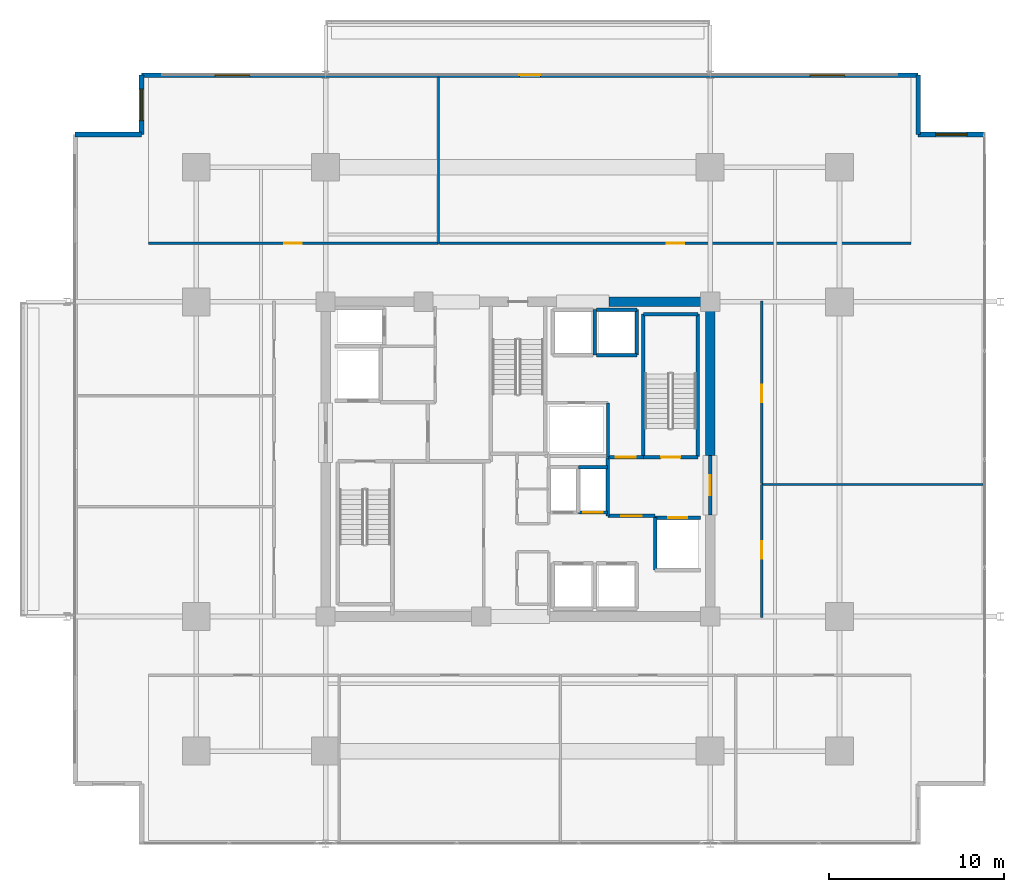
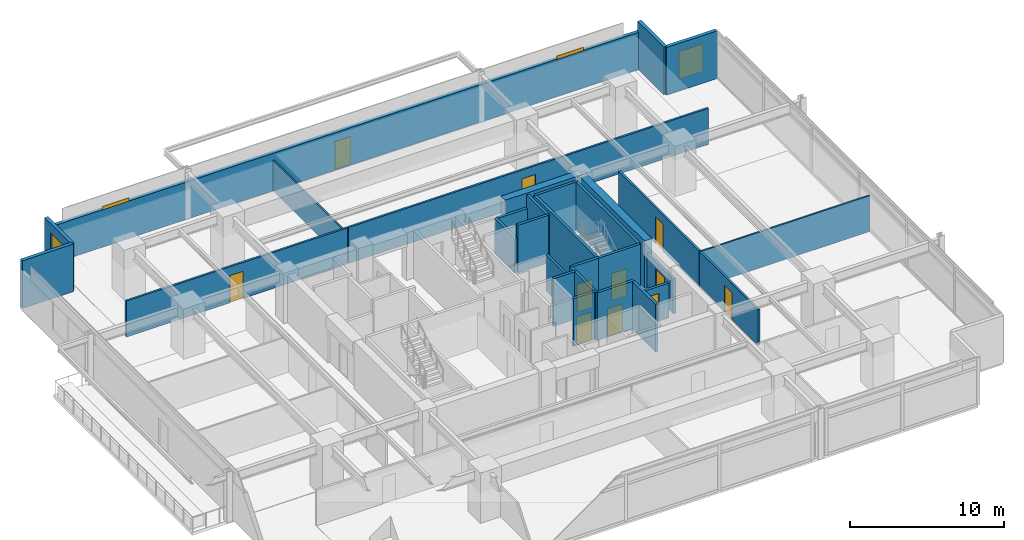
# One storey, part 15 of 20: 30 walls, 11 doors, 4 windows, 15 openings.
"""IFC4 building model written with IfcOpenShell, lengths in metres."""

from ifc_helpers import new_model, si_unit, direction, frame, frame_2d, origin, place, context, subcontext, project, spatial, rectangle, extrude, material, layer, layer_set, type_object, element, fill, save


model = new_model("IFC4")

# Units and contexts
model_context = context("Model", 3, precision=1e-05, world=origin(), true_north=direction((0.0, 1.0)))
body_context = subcontext(model_context, "Body", "Model", "MODEL_VIEW")
ifc_project = project(units=[si_unit("LENGTHUNIT", "METRE"), si_unit("AREAUNIT", "SQUARE_METRE"), si_unit("VOLUMEUNIT", "CUBIC_METRE"), si_unit("PLANEANGLEUNIT", "RADIAN"), si_unit("MASSUNIT", "GRAM", prefix="KILO")], contexts=[model_context])

# Site, building, storey
site_placement = place(None, origin())
site = spatial("IfcSite", under=ifc_project, at=site_placement, CompositionType="ELEMENT")
building_placement = place(site_placement, origin())
building = spatial("IfcBuilding", under=site, at=building_placement, Name="Kovane Verandah Tower", CompositionType="ELEMENT")
storey_placement = place(building_placement, frame((0.0, 0.0, 164.39990234375)))
storey = spatial("IfcBuildingStorey", under=building, at=storey_placement, Name="L38", CompositionType="ELEMENT", Elevation=164.39990234375)

# Wall
ifc_material_1 = material(Name="Fire-Rated Gypsum Stud Partition", Category="gypsum")
ifc_layer_1 = layer(ifc_material_1, 0.14990234375)
ifc_layer_set_1 = layer_set([ifc_layer_1], Name="Fire-Rated Gypsum Stud Partition")
wall_type_1 = type_object("IfcWallType", Name="WL-COR-150", PredefinedType="PARTITIONING", material=ifc_layer_set_1)
wall_1_placement = place(storey_placement, frame((45.14990234375, 27.6201171875, 0.0), z_axis=(0.0, 0.0, 1.0), x_axis=(0.0, 1.0, 0.0)))
element("IfcWall", 1, at=wall_1_placement, inside=storey, type_object=wall_type_1, Name="L38 East Core Service Riser East Wall", PredefinedType="PARTITIONING", context=body_context, shape_type="SweptSolid", body=[
    extrude(rectangle(XDim=3.099853515625, YDim=0.14990234375, at=frame_2d((1.5498046875, 0.0))), origin(), (0.0, 0.0, 1.0), 2.85009765625),
])

# Wall, opening, door
wall_2_placement = place(storey_placement, frame((18.866943359375, 39.85009765625, 0.0), z_axis=(0.0, 0.0, 1.0), x_axis=(1.0, 0.0, 0.0)))
wall_2 = element("IfcWall", 2, at=wall_2_placement, inside=storey, type_object=wall_type_1, Name="L38 Focus Studio N1 Corridor Partition", PredefinedType="PARTITIONING", context=body_context, shape_type="SweptSolid", body=[
    extrude(rectangle(XDim=16.579833984375, YDim=0.14990234375, at=frame_2d((8.2900390625, 0.0))), origin(), (0.0, 0.0, 1.0), 2.85009765625),
])
opening_1_placement = place(wall_2_placement, frame((7.7548828125, 0.0, 0.0)))
opening_1 = element("IfcOpeningElement", 3, at=opening_1_placement, cuts=wall_2, Name="Opening DR-L38-016", PredefinedType="OPENING", context=body_context, shape_type="SweptSolid", body=[
    extrude(rectangle(XDim=1.0, YDim=2.14990234375, at=frame_2d((0.5, 1.074951171875))), frame((0.0, 0.074951171875, 0.0), z_axis=(0.0, -1.0, 0.0), x_axis=(1.0, 0.0, 0.0)), (0.0, 0.0, 1.0), 0.14990234375),
])
ifc_material_2 = material(Name="FSC Spotted-Gum Timber Fire-Rated Office Door", Category="wood")
door_type_1 = type_object("IfcDoorType", Name="DR-OFF-1000", OperationType="SINGLE_SWING_LEFT", PredefinedType="DOOR", material=ifc_material_2)
door_1_placement = place(opening_1_placement, origin())
door_1 = element("IfcDoor", 4, at=door_1_placement, inside=storey, type_object=door_type_1, Name="L38 Focus Studio N1 Entrance Door", OperationType="SINGLE_SWING_LEFT", OverallHeight=2.14990234375, OverallWidth=1.0, PredefinedType="DOOR", context=body_context, shape_type="SweptSolid", body=[
    extrude(rectangle(XDim=1.0, YDim=2.14990234375, at=frame_2d((0.5, 1.074951171875))), frame((0.0, 0.02490234375, 0.0), z_axis=(0.0, -1.0, 0.0), x_axis=(1.0, 0.0, 0.0)), (0.0, 0.0, 1.0), 0.050048828125),
])
fill(opening_1, door_1)

wall_3_placement = place(storey_placement, frame((35.516845703125, 39.85009765625, 0.0), z_axis=(0.0, 0.0, 1.0), x_axis=(1.0, 0.0, 0.0)))
wall_3 = element("IfcWall", 5, at=wall_3_placement, inside=storey, type_object=wall_type_1, Name="L38 Breakout Pantry N2 Corridor Partition", PredefinedType="PARTITIONING", context=body_context, shape_type="SweptSolid", body=[
    extrude(rectangle(XDim=26.981201171875, YDim=0.14990234375, at=frame_2d((13.49072265625, 0.0))), origin(), (0.0, 0.0, 1.0), 2.85009765625),
])
opening_2_placement = place(wall_3_placement, frame((12.990478515625, 0.0, 0.0)))
opening_2 = element("IfcOpeningElement", 6, at=opening_2_placement, cuts=wall_3, Name="Opening DR-L38-017", PredefinedType="OPENING", context=body_context, shape_type="SweptSolid", body=[
    extrude(rectangle(XDim=1.0, YDim=2.14990234375, at=frame_2d((0.5, 1.074951171875))), frame((0.0, 0.074951171875, 0.0), z_axis=(0.0, -1.0, 0.0), x_axis=(1.0, 0.0, 0.0)), (0.0, 0.0, 1.0), 0.14990234375),
])
door_2_placement = place(opening_2_placement, origin())
door_2 = element("IfcDoor", 7, at=door_2_placement, inside=storey, type_object=door_type_1, Name="L38 Breakout Pantry N2 Entrance Door", OperationType="SINGLE_SWING_RIGHT", OverallHeight=2.14990234375, OverallWidth=1.0, PredefinedType="DOOR", context=body_context, shape_type="SweptSolid", body=[
    extrude(rectangle(XDim=1.0, YDim=2.14990234375, at=frame_2d((0.5, 1.074951171875))), frame((0.0, 0.02490234375, 0.0), z_axis=(0.0, -1.0, 0.0), x_axis=(1.0, 0.0, 0.0)), (0.0, 0.0, 1.0), 0.050048828125),
])
fill(opening_2, door_2)

wall_4_placement = place(storey_placement, frame((53.949951171875, 18.449951171875, 0.0), z_axis=(0.0, 0.0, 1.0), x_axis=(0.0, 1.0, 0.0)))
wall_4 = element("IfcWall", 8, at=wall_4_placement, inside=storey, type_object=wall_type_1, Name="L38 Breakout Pantry E1 Corridor Partition", PredefinedType="PARTITIONING", context=body_context, shape_type="SweptSolid", body=[
    extrude(rectangle(XDim=7.60205078125, YDim=0.14990234375, at=frame_2d((3.801025390625, 0.0))), origin(), (0.0, 0.0, 1.0), 2.85009765625),
])
opening_3_placement = place(wall_4_placement, frame((3.341064453125, 0.0, 0.0)))
opening_3 = element("IfcOpeningElement", 9, at=opening_3_placement, cuts=wall_4, Name="Opening DR-L38-012", PredefinedType="OPENING", context=body_context, shape_type="SweptSolid", body=[
    extrude(rectangle(XDim=1.0, YDim=2.14990234375, at=frame_2d((0.5, 1.074951171875))), frame((0.0, 0.074951171875, 0.0), z_axis=(0.0, -1.0, 0.0), x_axis=(1.0, 0.0, 0.0)), (0.0, 0.0, 1.0), 0.14990234375),
])
door_3_placement = place(opening_3_placement, origin())
door_3 = element("IfcDoor", 10, at=door_3_placement, inside=storey, type_object=door_type_1, Name="L38 Breakout Pantry E1 Entrance Door", OperationType="SINGLE_SWING_RIGHT", OverallHeight=2.14990234375, OverallWidth=1.0, PredefinedType="DOOR", context=body_context, shape_type="SweptSolid", body=[
    extrude(rectangle(XDim=1.0, YDim=2.14990234375, at=frame_2d((0.5, 1.074951171875))), frame((0.0, 0.02490234375, 0.0), z_axis=(0.0, -1.0, 0.0), x_axis=(1.0, 0.0, 0.0)), (0.0, 0.0, 1.0), 0.050048828125),
])
fill(opening_3, door_3)

wall_5_placement = place(storey_placement, frame((53.949951171875, 26.1220703125, 0.0), z_axis=(0.0, 0.0, 1.0), x_axis=(0.0, 1.0, 0.0)))
wall_5 = element("IfcWall", 11, at=wall_5_placement, inside=storey, type_object=wall_type_1, Name="L38 Collaboration Hub E2 Corridor Partition", PredefinedType="PARTITIONING", context=body_context, shape_type="SweptSolid", body=[
    extrude(rectangle(XDim=10.427978515625, YDim=0.14990234375, at=frame_2d((5.2138671875, 0.0))), origin(), (0.0, 0.0, 1.0), 2.85009765625),
])
opening_4_placement = place(wall_5_placement, frame((4.638916015625, 0.0, 0.0)))
opening_4 = element("IfcOpeningElement", 12, at=opening_4_placement, cuts=wall_5, Name="Opening DR-L38-013", PredefinedType="OPENING", context=body_context, shape_type="SweptSolid", body=[
    extrude(rectangle(XDim=1.0, YDim=2.14990234375, at=frame_2d((0.5, 1.074951171875))), frame((0.0, 0.074951171875, 0.0), z_axis=(0.0, -1.0, 0.0), x_axis=(1.0, 0.0, 0.0)), (0.0, 0.0, 1.0), 0.14990234375),
])
door_4_placement = place(opening_4_placement, origin())
door_4 = element("IfcDoor", 13, at=door_4_placement, inside=storey, type_object=door_type_1, Name="L38 Collaboration Hub E2 Entrance Door", OperationType="SINGLE_SWING_LEFT", OverallHeight=2.14990234375, OverallWidth=1.0, PredefinedType="DOOR", context=body_context, shape_type="SweptSolid", body=[
    extrude(rectangle(XDim=1.0, YDim=2.14990234375, at=frame_2d((0.5, 1.074951171875))), frame((0.0, 0.02490234375, 0.0), z_axis=(0.0, -1.0, 0.0), x_axis=(1.0, 0.0, 0.0)), (0.0, 0.0, 1.0), 0.050048828125),
])
fill(opening_4, door_4)

# Walls
ifc_material_3 = material(Name="Concrete C60/75", Category="concrete")
ifc_layer_2 = layer(ifc_material_3, 0.550048828125)
ifc_layer_set_2 = layer_set([ifc_layer_2], Name="Concrete C60/75")
wall_type_2 = type_object("IfcWallType", Name="WL-CORE-550", PredefinedType="SHEAR", material=ifc_layer_set_2)
wall_6_placement = place(storey_placement, frame((45.199951171875, 36.5, 0.0), z_axis=(0.0, 0.0, 1.0), x_axis=(1.0, 0.0, 0.0)))
element("IfcWall", 14, at=wall_6_placement, inside=storey, type_object=wall_type_2, Name="L38 Core Shear Wall CN-3", PredefinedType="SHEAR", context=body_context, shape_type="SweptSolid", body=[
    extrude(rectangle(XDim=5.800048828125, YDim=0.550048828125, at=frame_2d((2.89990234375, 0.0))), origin(), (0.0, 0.0, 1.0), 3.775146484375),
])
wall_7_placement = place(storey_placement, frame((51.0, 27.699951171875, 0.0), z_axis=(0.0, 0.0, 1.0), x_axis=(0.0, 1.0, 0.0)))
element("IfcWall", 15, at=wall_7_placement, inside=storey, type_object=wall_type_2, Name="L38 Core Shear Wall CE-2", PredefinedType="SHEAR", context=body_context, shape_type="SweptSolid", body=[
    extrude(rectangle(XDim=8.800048828125, YDim=0.550048828125, at=frame_2d((4.39990234375, 0.0))), origin(), (0.0, 0.0, 1.0), 3.775146484375),
])
ifc_material_4 = material(Name="Concrete C45/55 Fire Wall", Category="concrete")
ifc_layer_3 = layer(ifc_material_4, 0.199951171875)
ifc_layer_set_3 = layer_set([ifc_layer_3], Name="Concrete C45/55 Fire Wall")
wall_type_3 = type_object("IfcWallType", Name="WL-FFL-200", PredefinedType="PARTITIONING", material=ifc_layer_set_3)
wall_8_placement = place(storey_placement, frame((45.14990234375, 24.25, 0.0), z_axis=(0.0, 0.0, 1.0), x_axis=(0.0, 1.0, 0.0)))
element("IfcWall", 16, at=wall_8_placement, inside=storey, type_object=wall_type_3, Name="L38 East Firefighting Lobby West Fire Wall", PredefinedType="PARTITIONING", context=body_context, shape_type="SweptSolid", body=[
    extrude(rectangle(XDim=3.3701171875, YDim=0.199951171875, at=frame_2d((1.68505859375, 0.0))), origin(), (0.0, 0.0, 1.0), 3.775146484375),
])

# Wall, opening, door
wall_9_placement = place(storey_placement, frame((45.14990234375, 24.25, 0.0), z_axis=(0.0, 0.0, 1.0), x_axis=(1.0, 0.0, 0.0)))
wall_9 = element("IfcWall", 17, at=wall_9_placement, inside=storey, type_object=wall_type_3, Name="W-L38-FFLE-S", PredefinedType="PARTITIONING", context=body_context, shape_type="SweptSolid", body=[
    extrude(rectangle(XDim=2.7001953125, YDim=0.199951171875, at=frame_2d((1.35009765625, 0.0))), origin(), (0.0, 0.0, 1.0), 3.775146484375),
])
opening_5_placement = place(wall_9_placement, frame((0.77490234375, 0.0, 0.0)))
opening_5 = element("IfcOpeningElement", 18, at=opening_5_placement, cuts=wall_9, Name="Opening DR-L38-003", PredefinedType="OPENING", context=body_context, shape_type="SweptSolid", body=[
    extrude(rectangle(XDim=1.14990234375, YDim=2.199951171875, at=frame_2d((0.574951171875, 1.10009765625))), frame((0.0, 0.10009765625, 0.0), z_axis=(0.0, -1.0, 0.0), x_axis=(1.0, 0.0, 0.0)), (0.0, 0.0, 1.0), 0.199951171875),
])
ifc_material_5 = material(Name="Smoke-Sealed Firefighting Lobby Door", Category="steel")
door_type_2 = type_object("IfcDoorType", Name="DR-FFL-1150", OperationType="SINGLE_SWING_LEFT", PredefinedType="DOOR", material=ifc_material_5)
door_5_placement = place(opening_5_placement, origin())
door_5 = element("IfcDoor", 19, at=door_5_placement, inside=storey, type_object=door_type_2, Name="L38 East Firefighting Lobby Inner Door", OperationType="SINGLE_SWING_RIGHT", OverallHeight=2.199951171875, OverallWidth=1.14990234375, PredefinedType="DOOR", context=body_context, shape_type="SweptSolid", body=[
    extrude(rectangle(XDim=1.14990234375, YDim=2.199951171875, at=frame_2d((0.574951171875, 1.10009765625))), frame((0.0, 0.02490234375, 0.0), z_axis=(0.0, -1.0, 0.0), x_axis=(1.0, 0.0, 0.0)), (0.0, 0.0, 1.0), 0.050048828125),
])
fill(opening_5, door_5)

wall_10_placement = place(storey_placement, frame((45.14990234375, 27.6201171875, 0.0), z_axis=(0.0, 0.0, 1.0), x_axis=(1.0, 0.0, 0.0)))
wall_10 = element("IfcWall", 20, at=wall_10_placement, inside=storey, type_object=wall_type_3, Name="W-L38-FFLE-N", PredefinedType="PARTITIONING", context=body_context, shape_type="SweptSolid", body=[
    extrude(rectangle(XDim=2.030029296875, YDim=0.199951171875, at=frame_2d((1.01513671875, 0.0))), origin(), (0.0, 0.0, 1.0), 3.775146484375),
])
opening_6_placement = place(wall_10_placement, frame((0.43994140625, 0.0, 0.0)))
opening_6 = element("IfcOpeningElement", 21, at=opening_6_placement, cuts=wall_10, Name="Opening DR-L38-004", PredefinedType="OPENING", context=body_context, shape_type="SweptSolid", body=[
    extrude(rectangle(XDim=1.14990234375, YDim=2.199951171875, at=frame_2d((0.574951171875, 1.10009765625))), frame((0.0, 0.10009765625, 0.0), z_axis=(0.0, -1.0, 0.0), x_axis=(1.0, 0.0, 0.0)), (0.0, 0.0, 1.0), 0.199951171875),
])
door_6_placement = place(opening_6_placement, origin())
door_6 = element("IfcDoor", 22, at=door_6_placement, inside=storey, type_object=door_type_2, Name="L38 East Firefighting Lobby Shuttle Link Door", OperationType="SINGLE_SWING_LEFT", OverallHeight=2.199951171875, OverallWidth=1.14990234375, PredefinedType="DOOR", context=body_context, shape_type="SweptSolid", body=[
    extrude(rectangle(XDim=1.14990234375, YDim=2.199951171875, at=frame_2d((0.574951171875, 1.10009765625))), frame((0.0, 0.02490234375, 0.0), z_axis=(0.0, -1.0, 0.0), x_axis=(1.0, 0.0, 0.0)), (0.0, 0.0, 1.0), 0.050048828125),
])
fill(opening_6, door_6)

wall_11_placement = place(storey_placement, frame((51.0, 24.300048828125, 0.0), z_axis=(0.0, 0.0, 1.0), x_axis=(0.0, 1.0, 0.0)))
wall_11 = element("IfcWall", 23, at=wall_11_placement, inside=storey, type_object=wall_type_3, Name="W-L38-FFLE-OUT", PredefinedType="PARTITIONING", context=body_context, shape_type="SweptSolid", body=[
    extrude(rectangle(XDim=3.39990234375, YDim=0.199951171875, at=frame_2d((1.699951171875, 0.0))), origin(), (0.0, 0.0, 1.0), 2.755126953125),
])
opening_7_placement = place(wall_11_placement, frame((1.125, 0.0, 0.0)))
opening_7 = element("IfcOpeningElement", 24, at=opening_7_placement, cuts=wall_11, Name="Opening DR-L38-005", PredefinedType="OPENING", context=body_context, shape_type="SweptSolid", body=[
    extrude(rectangle(XDim=1.14990234375, YDim=2.199951171875, at=frame_2d((0.574951171875, 1.10009765625))), frame((0.0, 0.10009765625, 0.0), z_axis=(0.0, -1.0, 0.0), x_axis=(1.0, 0.0, 0.0)), (0.0, 0.0, 1.0), 0.199951171875),
])
door_7_placement = place(opening_7_placement, origin())
door_7 = element("IfcDoor", 25, at=door_7_placement, inside=storey, type_object=door_type_2, Name="L38 East Firefighting Lobby Corridor Door", OperationType="SINGLE_SWING_LEFT", OverallHeight=2.199951171875, OverallWidth=1.14990234375, PredefinedType="DOOR", context=body_context, shape_type="SweptSolid", body=[
    extrude(rectangle(XDim=1.14990234375, YDim=2.199951171875, at=frame_2d((0.574951171875, 1.10009765625))), frame((0.0, 0.02490234375, 0.0), z_axis=(0.0, -1.0, 0.0), x_axis=(1.0, 0.0, 0.0)), (0.0, 0.0, 1.0), 0.050048828125),
])
fill(opening_7, door_7)

ifc_material_6 = material(Name="Concrete C45/55 Lift Shaft Wall", Category="concrete")
ifc_layer_4 = layer(ifc_material_6, 0.199951171875)
ifc_layer_set_4 = layer_set([ifc_layer_4], Name="Concrete C45/55 Lift Shaft Wall")
wall_type_4 = type_object("IfcWallType", Name="WL-LIFT-200", PredefinedType="SOLIDWALL", material=ifc_layer_set_4)
wall_12_placement = place(storey_placement, frame((50.449951171875, 24.14990234375, 0.0), z_axis=(0.0, 0.0, 1.0), x_axis=(-1.0, 0.0, 0.0)))
wall_12 = element("IfcWall", 26, at=wall_12_placement, inside=storey, type_object=wall_type_4, Name="L38 Lift FL-02 N Shaft Wall", PredefinedType="SOLIDWALL", context=body_context, shape_type="SweptSolid", body=[
    extrude(rectangle(XDim=2.599853515625, YDim=0.199951171875, at=frame_2d((1.2998046875, 0.0))), origin(), (0.0, 0.0, 1.0), 2.755126953125),
])
opening_8_placement = place(wall_12_placement, frame((0.75, 0.0, 0.0)))
opening_8 = element("IfcOpeningElement", 27, at=opening_8_placement, cuts=wall_12, Name="Opening LD-L38-002", PredefinedType="OPENING", context=body_context, shape_type="SweptSolid", body=[
    extrude(rectangle(XDim=1.10009765625, YDim=2.199951171875, at=frame_2d((0.550048828125, 1.10009765625))), frame((0.0, 0.10009765625, 0.0), z_axis=(0.0, -1.0, 0.0), x_axis=(1.0, 0.0, 0.0)), (0.0, 0.0, 1.0), 0.199951171875),
])
ifc_material_7 = material(Name="Brushed Stainless Steel Sliding Lift Landing Door", Category="steel")
door_type_3 = type_object("IfcDoorType", Name="DR-LIFT-1100", OperationType="SLIDING_TO_RIGHT", PredefinedType="DOOR", material=ifc_material_7)
door_8_placement = place(opening_8_placement, origin())
door_8 = element("IfcDoor", 28, at=door_8_placement, inside=storey, type_object=door_type_3, Name="L38 Lift FL-02 Sliding Landing Door", OperationType="SLIDING_TO_RIGHT", OverallHeight=2.199951171875, OverallWidth=1.10009765625, PredefinedType="DOOR", context=body_context, shape_type="SweptSolid", body=[
    extrude(rectangle(XDim=1.10009765625, YDim=2.199951171875, at=frame_2d((0.550048828125, 1.10009765625))), frame((0.0, 0.02490234375, 0.0), z_axis=(0.0, -1.0, 0.0), x_axis=(1.0, 0.0, 0.0)), (0.0, 0.0, 1.0), 0.050048828125),
])
fill(opening_8, door_8)

# Wall
wall_13_placement = place(storey_placement, frame((47.85009765625, 24.14990234375, 0.0), z_axis=(0.0, 0.0, 1.0), x_axis=(0.0, -1.0, 0.0)))
element("IfcWall", 29, at=wall_13_placement, inside=storey, type_object=wall_type_4, Name="L38 Lift FL-02 W Shaft Wall", PredefinedType="SOLIDWALL", context=body_context, shape_type="SweptSolid", body=[
    extrude(rectangle(XDim=3.0, YDim=0.199951171875, at=frame_2d((1.5, 0.0))), origin(), (0.0, 0.0, 1.0), 3.775146484375),
])

# Wall, opening, door
wall_14_placement = place(storey_placement, frame((43.4599609375, 24.449951171875, 0.0), z_axis=(0.0, 0.0, 1.0), x_axis=(1.0, 0.0, 0.0)))
wall_14 = element("IfcWall", 30, at=wall_14_placement, inside=storey, type_object=wall_type_4, Name="L38 Lift PL-M4 S Shaft Wall", PredefinedType="SOLIDWALL", context=body_context, shape_type="SweptSolid", body=[
    extrude(rectangle(XDim=1.66015625, YDim=0.199951171875, at=frame_2d((0.830078125, 0.0))), origin(), (0.0, 0.0, 1.0), 3.775146484375),
])
opening_9_placement = place(wall_14_placement, frame((0.280029296875, 0.0, 0.0)))
opening_9 = element("IfcOpeningElement", 31, at=opening_9_placement, cuts=wall_14, Name="Opening LD-L38-007", PredefinedType="OPENING", context=body_context, shape_type="SweptSolid", body=[
    extrude(rectangle(XDim=1.10009765625, YDim=2.199951171875, at=frame_2d((0.550048828125, 1.10009765625))), frame((0.0, 0.10009765625, 0.0), z_axis=(0.0, -1.0, 0.0), x_axis=(1.0, 0.0, 0.0)), (0.0, 0.0, 1.0), 0.199951171875),
])
door_9_placement = place(opening_9_placement, origin())
door_9 = element("IfcDoor", 32, at=door_9_placement, inside=storey, type_object=door_type_3, Name="L38 Lift PL-M4 Sliding Landing Door", OperationType="SLIDING_TO_RIGHT", OverallHeight=2.199951171875, OverallWidth=1.10009765625, PredefinedType="DOOR", context=body_context, shape_type="SweptSolid", body=[
    extrude(rectangle(XDim=1.10009765625, YDim=2.199951171875, at=frame_2d((0.550048828125, 1.10009765625))), frame((0.0, 0.02490234375, 0.0), z_axis=(0.0, -1.0, 0.0), x_axis=(1.0, 0.0, 0.0)), (0.0, 0.0, 1.0), 0.050048828125),
])
fill(opening_9, door_9)

# Walls
wall_15_placement = place(storey_placement, frame((45.1201171875, 27.050048828125, 0.0), z_axis=(0.0, 0.0, 1.0), x_axis=(-1.0, 0.0, 0.0)))
element("IfcWall", 33, at=wall_15_placement, inside=storey, type_object=wall_type_4, Name="L38 Lift PL-M4 N Shaft Wall", PredefinedType="SOLIDWALL", context=body_context, shape_type="SweptSolid", body=[
    extrude(rectangle(XDim=1.66015625, YDim=0.199951171875, at=frame_2d((0.830078125, 0.0))), origin(), (0.0, 0.0, 1.0), 3.775146484375),
])
wall_16_placement = place(storey_placement, frame((44.39990234375, 33.449951171875, 0.0), z_axis=(0.0, 0.0, 1.0), x_axis=(0.0, 1.0, 0.0)))
element("IfcWall", 34, at=wall_16_placement, inside=storey, type_object=wall_type_4, Name="L38 Lift OL-01 and SL-01 Shared Shaft Wall", PredefinedType="SOLIDWALL", context=body_context, shape_type="SweptSolid", body=[
    extrude(rectangle(XDim=2.60009765625, YDim=0.199951171875, at=frame_2d((1.300048828125, 0.0))), origin(), (0.0, 0.0, 1.0), 2.755126953125),
])
wall_17_placement = place(storey_placement, frame((44.5, 33.449951171875, 0.0), z_axis=(0.0, 0.0, 1.0), x_axis=(1.0, 0.0, 0.0)))
element("IfcWall", 35, at=wall_17_placement, inside=storey, type_object=wall_type_4, Name="L38 Lift OL-01 S Shaft Wall", PredefinedType="SOLIDWALL", context=body_context, shape_type="SweptSolid", body=[
    extrude(rectangle(XDim=2.300048828125, YDim=0.199951171875, at=frame_2d((1.14990234375, 0.0))), origin(), (0.0, 0.0, 1.0), 3.775146484375),
])
wall_18_placement = place(storey_placement, frame((46.800048828125, 36.050048828125, 0.0), z_axis=(0.0, 0.0, 1.0), x_axis=(-1.0, 0.0, 0.0)))
element("IfcWall", 36, at=wall_18_placement, inside=storey, type_object=wall_type_4, Name="L38 Lift OL-01 N Shaft Wall", PredefinedType="SOLIDWALL", context=body_context, shape_type="SweptSolid", body=[
    extrude(rectangle(XDim=2.300048828125, YDim=0.199951171875, at=frame_2d((1.14990234375, 0.0))), origin(), (0.0, 0.0, 1.0), 2.755126953125),
])
wall_19_placement = place(storey_placement, frame((46.800048828125, 33.449951171875, 0.0), z_axis=(0.0, 0.0, 1.0), x_axis=(0.0, 1.0, 0.0)))
element("IfcWall", 37, at=wall_19_placement, inside=storey, type_object=wall_type_4, Name="L38 Lift OL-01 E Shaft Wall", PredefinedType="SOLIDWALL", context=body_context, shape_type="SweptSolid", body=[
    extrude(rectangle(XDim=2.60009765625, YDim=0.199951171875, at=frame_2d((1.300048828125, 0.0))), origin(), (0.0, 0.0, 1.0), 3.775146484375),
])
ifc_material_8 = material(Name="Acoustic Fire-Rated Gypsum Partition", Category="gypsum")
ifc_layer_5 = layer(ifc_material_8, 0.1201171875)
ifc_layer_set_5 = layer_set([ifc_layer_5], Name="Acoustic Fire-Rated Gypsum Partition")
wall_type_5 = type_object("IfcWallType", Name="WL-PART-120", PredefinedType="PARTITIONING", material=ifc_layer_set_5)
wall_20_placement = place(storey_placement, frame((35.44677734375, 39.85009765625, 0.0), z_axis=(0.0, 0.0, 1.0), x_axis=(0.0, 1.0, 0.0)))
element("IfcWall", 38, at=wall_20_placement, inside=storey, type_object=wall_type_5, Name="L38 Focus Studio N1 Dividing Partition", PredefinedType="PARTITIONING", context=body_context, shape_type="SweptSolid", body=[
    extrude(rectangle(XDim=9.52294921875, YDim=0.1201171875, at=frame_2d((4.761474609375, 0.0))), origin(), (0.0, 0.0, 1.0), 2.405029296875),
])
wall_21_placement = place(storey_placement, frame((53.949951171875, 26.052001953125, 0.0), z_axis=(0.0, 0.0, 1.0), x_axis=(1.0, 0.0, 0.0)))
element("IfcWall", 39, at=wall_21_placement, inside=storey, type_object=wall_type_5, Name="L38 Breakout Pantry E1 Dividing Partition", PredefinedType="PARTITIONING", context=body_context, shape_type="SweptSolid", body=[
    extrude(rectangle(XDim=12.64794921875, YDim=0.1201171875, at=frame_2d((6.323974609375, 0.0))), origin(), (0.0, 0.0, 1.0), 2.85009765625),
])
ifc_material_9 = material(Name="Concrete C45/55", Category="concrete")
ifc_layer_6 = layer(ifc_material_9, 0.199951171875)
ifc_layer_set_6 = layer_set([ifc_layer_6], Name="Concrete C45/55")
wall_type_6 = type_object("IfcWallType", Name="WL-SHAFT-200", PredefinedType="SOLIDWALL", material=ifc_layer_set_6)
wall_22_placement = place(storey_placement, frame((50.300048828125, 27.64990234375, 0.0), z_axis=(0.0, 0.0, 1.0), x_axis=(0.0, 1.0, 0.0)))
element("IfcWall", 40, at=wall_22_placement, inside=storey, type_object=wall_type_6, Name="W-L38-ST02-E", PredefinedType="SOLIDWALL", context=body_context, shape_type="SweptSolid", body=[
    extrude(rectangle(XDim=8.150146484375, YDim=0.199951171875, at=frame_2d((4.0751953125, 0.0))), origin(), (0.0, 0.0, 1.0), 3.775146484375),
])
wall_23_placement = place(storey_placement, frame((47.179931640625, 35.800048828125, 0.0), z_axis=(0.0, 0.0, 1.0), x_axis=(1.0, 0.0, 0.0)))
element("IfcWall", 41, at=wall_23_placement, inside=storey, type_object=wall_type_6, Name="W-L38-ST02-N", PredefinedType="SOLIDWALL", context=body_context, shape_type="SweptSolid", body=[
    extrude(rectangle(XDim=3.1201171875, YDim=0.199951171875, at=frame_2d((1.56005859375, 0.0))), origin(), (0.0, 0.0, 1.0), 3.775146484375),
])
wall_24_placement = place(storey_placement, frame((47.179931640625, 27.6201171875, 0.0), z_axis=(0.0, 0.0, 1.0), x_axis=(0.0, 1.0, 0.0)))
element("IfcWall", 42, at=wall_24_placement, inside=storey, type_object=wall_type_6, Name="W-L38-ST02-W", PredefinedType="SOLIDWALL", context=body_context, shape_type="SweptSolid", body=[
    extrude(rectangle(XDim=8.179931640625, YDim=0.199951171875, at=frame_2d((4.08984375, 0.0))), origin(), (0.0, 0.0, 1.0), 3.775146484375),
])

# Wall, opening, door
wall_25_placement = place(storey_placement, frame((47.179931640625, 27.6201171875, 0.0), z_axis=(0.0, 0.0, 1.0), x_axis=(1.0, 0.0, 0.0)))
wall_25 = element("IfcWall", 43, at=wall_25_placement, inside=storey, type_object=wall_type_6, Name="W-L38-ST02-S", PredefinedType="SOLIDWALL", context=body_context, shape_type="SweptSolid", body=[
    extrude(rectangle(XDim=3.1201171875, YDim=0.199951171875, at=frame_2d((1.56005859375, 0.0))), origin(), (0.0, 0.0, 1.0), 3.775146484375),
])
opening_10_placement = place(wall_25_placement, frame((1.010009765625, 0.0, 0.0)))
opening_10 = element("IfcOpeningElement", 44, at=opening_10_placement, cuts=wall_25, Name="Opening DR-L38-010", PredefinedType="OPENING", context=body_context, shape_type="SweptSolid", body=[
    extrude(rectangle(XDim=1.10009765625, YDim=2.14990234375, at=frame_2d((0.550048828125, 1.074951171875))), frame((0.0, 0.10009765625, 0.0), z_axis=(0.0, -1.0, 0.0), x_axis=(1.0, 0.0, 0.0)), (0.0, 0.0, 1.0), 0.199951171875),
])
ifc_material_10 = material(Name="Fire-Rated Steel Exit Door", Category="steel")
door_type_4 = type_object("IfcDoorType", Name="DR-STAIR-1100", OperationType="SINGLE_SWING_LEFT", PredefinedType="DOOR", material=ifc_material_10)
door_10_placement = place(opening_10_placement, origin())
door_10 = element("IfcDoor", 45, at=door_10_placement, inside=storey, type_object=door_type_4, Name="L38 ST-02 Fire Exit Stair Door", OperationType="SINGLE_SWING_RIGHT", OverallHeight=2.14990234375, OverallWidth=1.10009765625, PredefinedType="DOOR", context=body_context, shape_type="SweptSolid", body=[
    extrude(rectangle(XDim=1.10009765625, YDim=2.14990234375, at=frame_2d((0.550048828125, 1.074951171875))), frame((0.0, 0.02490234375, 0.0), z_axis=(0.0, -1.0, 0.0), x_axis=(1.0, 0.0, 0.0)), (0.0, 0.0, 1.0), 0.050048828125),
])
fill(opening_10, door_10)

# Wall, openings, door, windows
ifc_material_11 = material(Name="Concrete C45/55 Insulated Spandrel Wall", Category="concrete")
ifc_layer_7 = layer(ifc_material_11, 0.260009765625)
ifc_layer_set_7 = layer_set([ifc_layer_7], Name="Concrete C45/55 Insulated Spandrel Wall")
wall_type_7 = type_object("IfcWallType", Name="WL-SPANDREL-260", PredefinedType="PARAPET", material=ifc_layer_set_7)
wall_26_placement = place(storey_placement, frame((62.89794921875, 49.47314453125, 0.0), z_axis=(0.0, 0.0, 1.0), x_axis=(-1.0, 0.0, 0.0)))
wall_26 = element("IfcWall", 46, at=wall_26_placement, inside=storey, type_object=wall_type_7, Name="L38 N Verandah Access Facade Wall", PredefinedType="PARAPET", context=body_context, shape_type="SweptSolid", body=[
    extrude(rectangle(XDim=44.430908203125, YDim=0.260009765625, at=frame_2d((22.21533203125, 0.0))), origin(), (0.0, 0.0, 1.0), 2.97021484375),
])
opening_11_placement = place(wall_26_placement, frame((4.199951171875, 0.0, 0.85009765625)))
opening_11 = element("IfcOpeningElement", 47, at=opening_11_placement, cuts=wall_26, Name="Opening W-04", PredefinedType="OPENING", context=body_context, shape_type="SweptSolid", body=[
    extrude(rectangle(XDim=2.0, YDim=2.300048828125, at=frame_2d((1.0, 1.14990234375))), frame((0.0, 0.1298828125, 0.0), z_axis=(0.0, -1.0, 0.0), x_axis=(1.0, 0.0, 0.0)), (0.0, 0.0, 1.0), 0.260009765625),
])
opening_12_placement = place(wall_26_placement, frame((21.615478515625, 0.0, 0.0)))
opening_12 = element("IfcOpeningElement", 48, at=opening_12_placement, cuts=wall_26, Name="Opening DR-L38-001", PredefinedType="OPENING", context=body_context, shape_type="SweptSolid", body=[
    extrude(rectangle(XDim=1.199951171875, YDim=2.199951171875, at=frame_2d((0.60009765625, 1.10009765625))), frame((0.0, 0.1298828125, 0.0), z_axis=(0.0, -1.0, 0.0), x_axis=(1.0, 0.0, 0.0)), (0.0, 0.0, 1.0), 0.260009765625),
])
opening_13_placement = place(wall_26_placement, frame((38.23095703125, 0.0, 0.85009765625)))
opening_13 = element("IfcOpeningElement", 49, at=opening_13_placement, cuts=wall_26, Name="Opening W-04", PredefinedType="OPENING", context=body_context, shape_type="SweptSolid", body=[
    extrude(rectangle(XDim=2.0, YDim=2.300048828125, at=frame_2d((1.0, 1.14990234375))), frame((0.0, 0.1298828125, 0.0), z_axis=(0.0, -1.0, 0.0), x_axis=(1.0, 0.0, 0.0)), (0.0, 0.0, 1.0), 0.260009765625),
])
ifc_material_12 = material(Name="Cyclone-Rated Glazed Balcony Leaf Door", Category="aluminium")
door_type_5 = type_object("IfcDoorType", Name="DR-BAL-1200x2200", OperationType="SINGLE_SWING_LEFT", PredefinedType="DOOR", material=ifc_material_12)
door_11_placement = place(opening_12_placement, origin())
door_11 = element("IfcDoor", 50, at=door_11_placement, inside=storey, type_object=door_type_5, Name="L38 N Planted Balcony Access Door", OperationType="SINGLE_SWING_LEFT", OverallHeight=2.199951171875, OverallWidth=1.199951171875, PredefinedType="DOOR", context=body_context, shape_type="SweptSolid", body=[
    extrude(rectangle(XDim=1.199951171875, YDim=2.199951171875, at=frame_2d((0.60009765625, 1.10009765625))), frame((0.0, 0.02490234375, 0.0), z_axis=(0.0, -1.0, 0.0), x_axis=(1.0, 0.0, 0.0)), (0.0, 0.0, 1.0), 0.050048828125),
])
fill(opening_12, door_11)
ifc_material_13 = material(Name="Clear Low-E Laminated Double Glazing in Anodised Frame", Category="glass")
window_type_1 = type_object("IfcWindowType", Name="WN-FIXED-2000x2300", PartitioningType="SINGLE_PANEL", PredefinedType="WINDOW", material=ifc_material_13)
window_1_placement = place(opening_11_placement, origin())
window_1 = element("IfcWindow", 51, at=window_1_placement, inside=storey, type_object=window_type_1, Name="L38 N Verandah View Window 1", OverallHeight=2.300048828125, OverallWidth=2.0, PartitioningType="SINGLE_PANEL", PredefinedType="WINDOW", context=body_context, shape_type="SweptSolid", body=[
    extrude(rectangle(XDim=2.0, YDim=2.300048828125, at=frame_2d((1.0, 1.14990234375))), frame((0.0, 0.030029296875, 0.0), z_axis=(0.0, -1.0, 0.0), x_axis=(1.0, 0.0, 0.0)), (0.0, 0.0, 1.0), 0.06005859375),
])
fill(opening_11, window_1)
window_2_placement = place(opening_13_placement, origin())
window_2 = element("IfcWindow", 52, at=window_2_placement, inside=storey, type_object=window_type_1, Name="L38 N Verandah View Window 2", OverallHeight=2.300048828125, OverallWidth=2.0, PartitioningType="SINGLE_PANEL", PredefinedType="WINDOW", context=body_context, shape_type="SweptSolid", body=[
    extrude(rectangle(XDim=2.0, YDim=2.300048828125, at=frame_2d((1.0, 1.14990234375))), frame((0.0, 0.030029296875, 0.0), z_axis=(0.0, -1.0, 0.0), x_axis=(1.0, 0.0, 0.0)), (0.0, 0.0, 1.0), 0.06005859375),
])
fill(opening_13, window_2)

# Wall, opening, window
wall_27_placement = place(storey_placement, frame((66.697998046875, 46.072998046875, 0.0), z_axis=(0.0, 0.0, 1.0), x_axis=(-1.0, 0.0, 0.0)))
wall_27 = element("IfcWall", 53, at=wall_27_placement, inside=storey, type_object=wall_type_7, Name="L38 NE Notch Cheek Wall 1", PredefinedType="PARAPET", context=body_context, shape_type="SweptSolid", body=[
    extrude(rectangle(XDim=3.800048828125, YDim=0.260009765625, at=frame_2d((1.89990234375, 0.0))), origin(), (0.0, 0.0, 1.0), 3.775146484375),
])
opening_14_placement = place(wall_27_placement, frame((1.0, 0.0, 0.85009765625)))
opening_14 = element("IfcOpeningElement", 54, at=opening_14_placement, cuts=wall_27, Name="Opening W-03", PredefinedType="OPENING", context=body_context, shape_type="SweptSolid", body=[
    extrude(rectangle(XDim=1.800048828125, YDim=2.199951171875, at=frame_2d((0.89990234375, 1.10009765625))), frame((0.0, 0.1298828125, 0.0), z_axis=(0.0, -1.0, 0.0), x_axis=(1.0, 0.0, 0.0)), (0.0, 0.0, 1.0), 0.260009765625),
])
window_type_2 = type_object("IfcWindowType", Name="WN-NOTCH-1800x2200", PartitioningType="SINGLE_PANEL", PredefinedType="WINDOW", material=ifc_material_13)
window_3_placement = place(opening_14_placement, origin())
window_3 = element("IfcWindow", 55, at=window_3_placement, inside=storey, type_object=window_type_2, Name="L38 NE Re-Entrant Corner Operable Window", OverallHeight=2.199951171875, OverallWidth=1.800048828125, PartitioningType="SINGLE_PANEL", PredefinedType="WINDOW", context=body_context, shape_type="SweptSolid", body=[
    extrude(rectangle(XDim=1.800048828125, YDim=2.199951171875, at=frame_2d((0.89990234375, 1.10009765625))), frame((0.0, 0.030029296875, 0.0), z_axis=(0.0, -1.0, 0.0), x_axis=(1.0, 0.0, 0.0)), (0.0, 0.0, 1.0), 0.06005859375),
])
fill(opening_14, window_3)

# Wall
wall_28_placement = place(storey_placement, frame((62.89794921875, 46.072998046875, 0.0), z_axis=(0.0, 0.0, 1.0), x_axis=(0.0, 1.0, 0.0)))
element("IfcWall", 56, at=wall_28_placement, inside=storey, type_object=wall_type_7, Name="L38 NE Notch Cheek Wall 2", PredefinedType="PARAPET", context=body_context, shape_type="SweptSolid", body=[
    extrude(rectangle(XDim=3.400146484375, YDim=0.260009765625, at=frame_2d((1.7001953125, 0.0))), origin(), (0.0, 0.0, 1.0), 3.775146484375),
])

# Wall, opening, window
wall_29_placement = place(storey_placement, frame((18.467041015625, 49.47314453125, 0.0), z_axis=(0.0, 0.0, 1.0), x_axis=(0.0, -1.0, 0.0)))
wall_29 = element("IfcWall", 57, at=wall_29_placement, inside=storey, type_object=wall_type_7, Name="L38 NW Notch Cheek Wall 1", PredefinedType="PARAPET", context=body_context, shape_type="SweptSolid", body=[
    extrude(rectangle(XDim=3.400146484375, YDim=0.260009765625, at=frame_2d((1.7001953125, 0.0))), origin(), (0.0, 0.0, 1.0), 3.775146484375),
])
opening_15_placement = place(wall_29_placement, frame((0.800048828125, 0.0, 0.85009765625)))
opening_15 = element("IfcOpeningElement", 58, at=opening_15_placement, cuts=wall_29, Name="Opening W-03", PredefinedType="OPENING", context=body_context, shape_type="SweptSolid", body=[
    extrude(rectangle(XDim=1.800048828125, YDim=2.199951171875, at=frame_2d((0.89990234375, 1.10009765625))), frame((0.0, 0.1298828125, 0.0), z_axis=(0.0, -1.0, 0.0), x_axis=(1.0, 0.0, 0.0)), (0.0, 0.0, 1.0), 0.260009765625),
])
window_4_placement = place(opening_15_placement, origin())
window_4 = element("IfcWindow", 59, at=window_4_placement, inside=storey, type_object=window_type_2, Name="L38 NW Re-Entrant Corner Operable Window", OverallHeight=2.199951171875, OverallWidth=1.800048828125, PartitioningType="SINGLE_PANEL", PredefinedType="WINDOW", context=body_context, shape_type="SweptSolid", body=[
    extrude(rectangle(XDim=1.800048828125, YDim=2.199951171875, at=frame_2d((0.89990234375, 1.10009765625))), frame((0.0, 0.030029296875, 0.0), z_axis=(0.0, -1.0, 0.0), x_axis=(1.0, 0.0, 0.0)), (0.0, 0.0, 1.0), 0.06005859375),
])
fill(opening_15, window_4)

# Wall
wall_30_placement = place(storey_placement, frame((18.467041015625, 46.072998046875, 0.0), z_axis=(0.0, 0.0, 1.0), x_axis=(-1.0, 0.0, 0.0)))
element("IfcWall", 60, at=wall_30_placement, inside=storey, type_object=wall_type_7, Name="L38 NW Notch Cheek Wall 2", PredefinedType="PARAPET", context=body_context, shape_type="SweptSolid", body=[
    extrude(rectangle(XDim=3.800048828125, YDim=0.260009765625, at=frame_2d((1.89990234375, 0.0))), origin(), (0.0, 0.0, 1.0), 3.775146484375),
])

save(model, "model.ifc")
